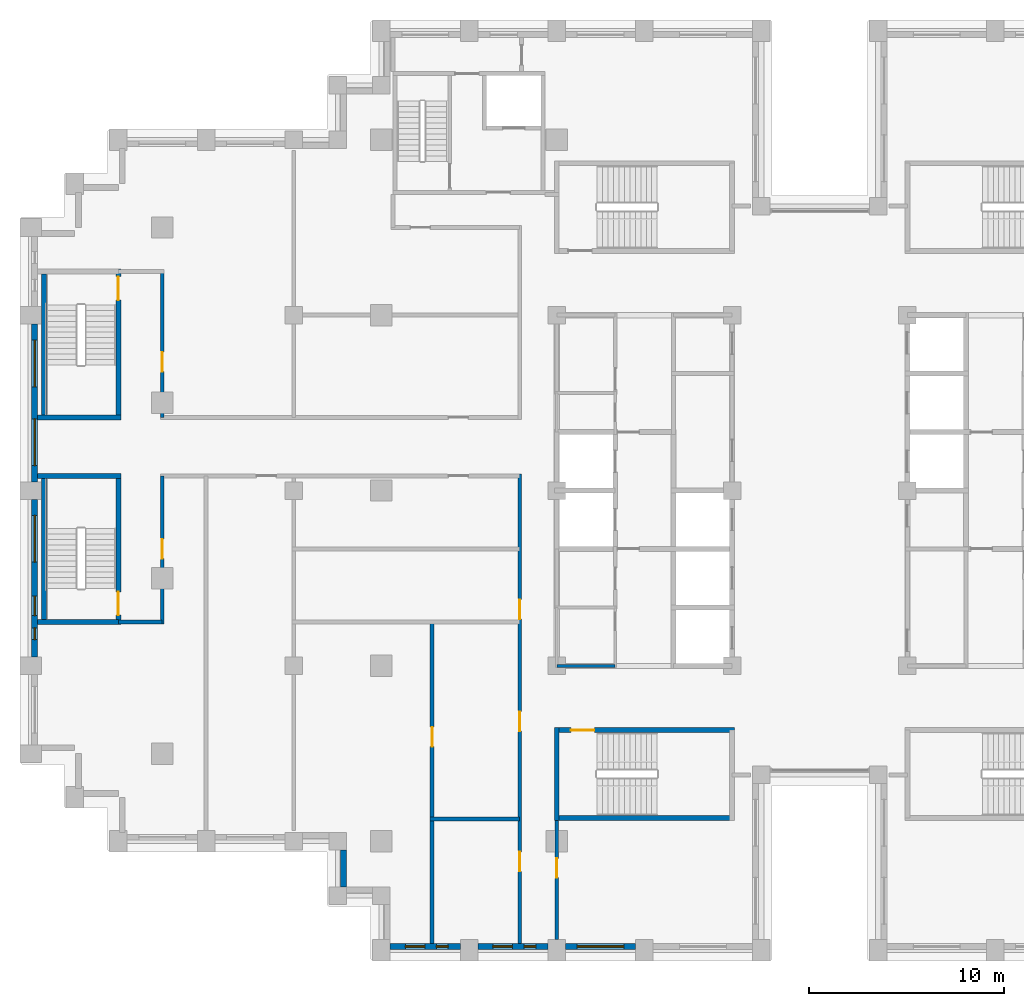
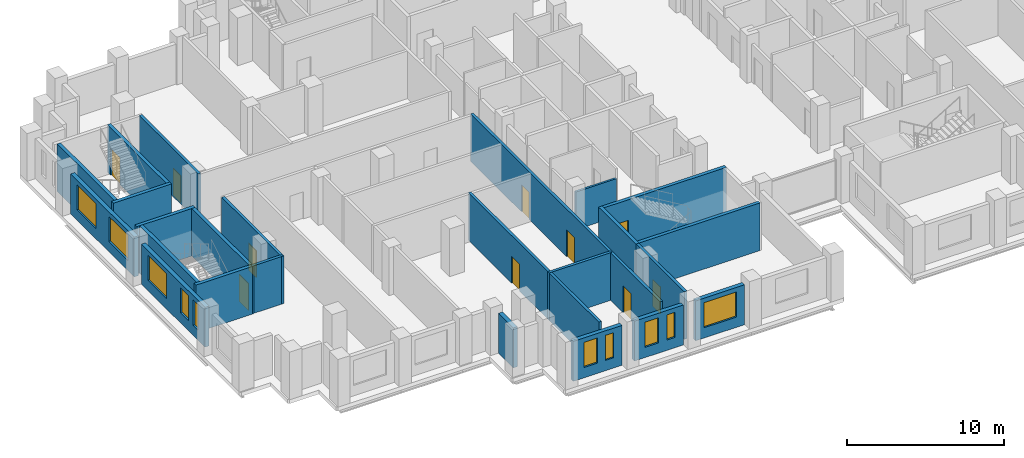
# One storey, part 6 of 15: 24 walls, 10 doors, 10 windows, 20 openings.
"""IFC4 building model written with IfcOpenShell, lengths in metres."""

import ifcopenshell
import ifcopenshell.guid

model = None  # the IFC model being written
_history = None  # IfcOwnerHistory: only IFC2X3 demands one
_inside = {}  # id of a spatial element -> (the spatial element, [elements in it])
_under = {}  # id of a project, library or spatial element -> (it, [spatial elements below it])
_declared = {}  # id of a project -> (the project, [libraries it declares])
_typed = {}  # id of a type object -> (the type object, [elements of that type])
_made_of = {}  # id of a material, layer set ... -> (it, [elements and type objects made of it])


def new_model(schema):
    """Start an empty IFC model of exactly this schema.

    Asked for "IFC4X3", IfcOpenShell would pick the latest addendum, in which some entities
    have other attributes; the version numbers below select the first issue.
    IFC2X3 requires an IfcOwnerHistory on every rooted entity: one is made here for all.
    """
    global model, _history
    if schema == "IFC4X3":
        model = ifcopenshell.file(schema_version=(4, 3, 0, 0))
    else:
        model = ifcopenshell.file(schema=schema)
    _inside.clear()
    _under.clear()
    _declared.clear()
    _typed.clear()
    _made_of.clear()
    _history = None
    if model.schema == "IFC2X3":
        org = make("IfcOrganization", Name="unknown")
        user = make(
            "IfcPersonAndOrganization",
            ThePerson=make("IfcPerson", FamilyName="unknown"),
            TheOrganization=org,
        )
        app = make(
            "IfcApplication",
            ApplicationDeveloper=org,
            Version="unknown",
            ApplicationFullName="unknown",
            ApplicationIdentifier="unknown",
        )
        _history = make(
            "IfcOwnerHistory",
            OwningUser=user,
            OwningApplication=app,
            ChangeAction="ADDED",
            CreationDate=0,
        )
    return model


def make(cls, **values):
    """One entity of the class cls with the attributes given. An attribute that is None is left unset."""
    return model.create_entity(
        cls, **{name: value for name, value in values.items() if value is not None}
    )


def rooted(cls, **values):
    """An entity with a GlobalId (a new one), such as an element, a storey or a relation."""
    return make(cls, GlobalId=ifcopenshell.guid.new(), OwnerHistory=_history, **values)


def si_unit(unit_type, name, prefix=None):
    """IfcSIUnit, for example si_unit("LENGTHUNIT", "METRE", prefix="MILLI")."""
    return make("IfcSIUnit", UnitType=unit_type, Prefix=prefix, Name=name)


def assignment(units):
    """IfcUnitAssignment: the units of a project."""
    return None if units is None else make("IfcUnitAssignment", Units=units)


def point(xyz):
    """IfcCartesianPoint."""
    return None if xyz is None else make("IfcCartesianPoint", Coordinates=xyz)


def direction(xyz):
    """IfcDirection."""
    return None if xyz is None else make("IfcDirection", DirectionRatios=xyz)


def frame(location, z_axis=None, x_axis=None):
    """IfcAxis2Placement3D, a coordinate frame: its origin and axes. An axis left out is left unset."""
    return make(
        "IfcAxis2Placement3D",
        Location=point(location),
        Axis=direction(z_axis),
        RefDirection=direction(x_axis),
    )


def frame_2d(location, x_axis=None):
    """IfcAxis2Placement2D, a coordinate frame in the plane: its origin and x axis."""
    return make(
        "IfcAxis2Placement2D", Location=point(location), RefDirection=direction(x_axis)
    )


def origin():
    """The frame at (0, 0, 0) with its axes left unset."""
    return frame((0.0, 0.0, 0.0))


def place(relative_to, where):
    """IfcLocalPlacement: puts the frame where relative to a parent placement (None: the world)."""
    return make(
        "IfcLocalPlacement", PlacementRelTo=relative_to, RelativePlacement=where
    )


def context(
    kind, dimensions, precision=None, world=None, true_north=None, identifier=None
):
    """IfcGeometricRepresentationContext, for example the 3D "Model" context."""
    return make(
        "IfcGeometricRepresentationContext",
        ContextIdentifier=identifier,
        ContextType=kind,
        CoordinateSpaceDimension=dimensions,
        Precision=precision,
        WorldCoordinateSystem=world,
        TrueNorth=true_north,
    )


def subcontext(parent, identifier, kind, view, scale=None):
    """IfcGeometricRepresentationSubContext, for example "Body" below "Model"."""
    return make(
        "IfcGeometricRepresentationSubContext",
        ContextIdentifier=identifier,
        ContextType=kind,
        ParentContext=parent,
        TargetScale=scale,
        TargetView=view,
    )


def project(units=None, contexts=None):
    """IfcProject with its units and contexts."""
    return rooted(
        "IfcProject",
        Name="project",
        RepresentationContexts=contexts,
        UnitsInContext=assignment(units),
    )


def spatial(cls, under=None, at=None, **own):
    """A site, building, storey or space (cls), placed at a placement, below another one or the project."""
    s = rooted(cls, ObjectPlacement=at, **own)
    if under is not None:
        _under.setdefault(under.id(), (under, []))[1].append(s)
    return s


def profile(cls, at=None, kind="AREA", **sizes):
    """A parametric profile (cls). Its sizes go by their IFC names, for example OverallWidth=200.0."""
    return make(cls, ProfileType=kind, Position=at, **sizes)


def rectangle(**sizes):
    """IfcRectangleProfileDef."""
    return profile("IfcRectangleProfileDef", **sizes)


def extrude(swept, where, along, depth):
    """IfcExtrudedAreaSolid: the profile swept, set in the frame where, extruded along a direction by depth."""
    return make(
        "IfcExtrudedAreaSolid",
        SweptArea=swept,
        Position=where,
        ExtrudedDirection=direction(along),
        Depth=depth,
    )


def shape(context_of_items, identifier, shape_type, items):
    """IfcShapeRepresentation: the items that make up one representation, for example the "Body"."""
    return make(
        "IfcShapeRepresentation",
        ContextOfItems=context_of_items,
        RepresentationIdentifier=identifier,
        RepresentationType=shape_type,
        Items=items,
    )


def material(Name=None, Category=None):
    """IfcMaterial."""
    return make("IfcMaterial", Name=Name, Category=Category)


def layer(
    of_material, thickness, ventilated=None, Name=None, Category=None, Priority=None
):
    """IfcMaterialLayer: one layer of a wall or slab, of a material (None: an air gap)."""
    return make(
        "IfcMaterialLayer",
        Material=of_material,
        LayerThickness=thickness,
        IsVentilated=ventilated,
        Name=Name,
        Category=Category,
        Priority=Priority,
    )


def layer_set(layers, Name=None):
    """IfcMaterialLayerSet."""
    return make("IfcMaterialLayerSet", MaterialLayers=layers, LayerSetName=Name)


def made_of(thing, what):
    """Note that an element or type object is made of a material, layer set ...; save() writes the relation."""
    if what is not None:
        _made_of.setdefault(what.id(), (what, []))[1].append(thing)
    return thing


def type_object(cls, material=None, **own):
    """A type object (cls), such as IfcWallType, which elements share."""
    return made_of(rooted(cls, **own), material)


def element(
    cls,
    number,
    at=None,
    inside=None,
    cuts=None,
    type_object=None,
    material=None,
    context=None,
    identifier="Body",
    shape_type=None,
    held_by="IfcProductDefinitionShape",
    body=None,
    shapes=None,
    **own,
):
    """One element of the class cls, such as IfcWall. Its Tag is "e" and its number.

    at: its placement. inside: the storey or other place that contains it. cuts: it is an
    opening in that element (IfcRelVoidsElement). A single representation is given by context,
    identifier, shape_type and body (its items); several are given by shapes. held_by: the class
    of the entity that holds the representations. save() writes the other relations.
    """
    e = rooted(cls, Tag="e%d" % number, ObjectPlacement=at, **own)
    if body is not None:
        shapes = [shape(context, identifier, shape_type, body)]
    if shapes is not None:
        e.Representation = make(held_by, Representations=shapes)
    if inside is not None:
        _inside.setdefault(inside.id(), (inside, []))[1].append(e)
    if cuts is not None:
        rooted(
            "IfcRelVoidsElement", RelatingBuildingElement=cuts, RelatedOpeningElement=e
        )
    if type_object is not None:
        _typed.setdefault(type_object.id(), (type_object, []))[1].append(e)
    return made_of(e, material)


def fill(opening, filler):
    """IfcRelFillsElement: the door or window that sits in an opening."""
    return rooted(
        "IfcRelFillsElement",
        RelatingOpeningElement=opening,
        RelatedBuildingElement=filler,
    )


def aggregate(whole, parts):
    """IfcRelAggregates: a whole, such as a stair, and the parts it consists of."""
    return rooted("IfcRelAggregates", RelatingObject=whole, RelatedObjects=parts)


def save(model, path):
    """Write the relations noted so far, then the file.

    IfcRelAggregates (storeys below a building ...), IfcRelContainedInSpatialStructure (elements
    in a storey), IfcRelDefinesByType, IfcRelAssociatesMaterial and IfcRelDeclares: one each for
    every whole, place, type object, material and project.
    """
    for whole, parts in _under.values():
        aggregate(whole, parts)
    for where, things in _inside.values():
        rooted(
            "IfcRelContainedInSpatialStructure",
            RelatedElements=things,
            RelatingStructure=where,
        )
    for kind, things in _typed.values():
        rooted("IfcRelDefinesByType", RelatedObjects=things, RelatingType=kind)
    for what, things in _made_of.values():
        rooted("IfcRelAssociatesMaterial", RelatedObjects=things, RelatingMaterial=what)
    for by, libraries in _declared.values():
        rooted("IfcRelDeclares", RelatingContext=by, RelatedDefinitions=libraries)
    model.write(path)


model = new_model("IFC4")

# Units and contexts
model_context = context("Model", 3, precision=1e-05, world=origin(), true_north=direction((0.0, 1.0)))
body_context = subcontext(model_context, "Body", "Model", "MODEL_VIEW")
ifc_project = project(units=[si_unit("LENGTHUNIT", "METRE"), si_unit("AREAUNIT", "SQUARE_METRE"), si_unit("VOLUMEUNIT", "CUBIC_METRE"), si_unit("PLANEANGLEUNIT", "RADIAN"), si_unit("MASSUNIT", "GRAM", prefix="KILO")], contexts=[model_context])

# Site, building, storey
site_placement = place(None, origin())
site = spatial("IfcSite", under=ifc_project, at=site_placement, CompositionType="ELEMENT")
building_placement = place(site_placement, origin())
building = spatial("IfcBuilding", under=site, at=building_placement, Name="Corbelhall Arena Tower", CompositionType="ELEMENT")
storey_placement = place(building_placement, frame((0.0, 0.0, 130.0)))
storey = spatial("IfcBuildingStorey", under=building, at=storey_placement, Name="L24", CompositionType="ELEMENT", Elevation=130.0)

# Wall, openings, windows
ifc_material_1 = material(Name="Precast concrete C40/50 with granite facing", Category="masonry")
ifc_layer_1 = layer(ifc_material_1, 0.300048828125)
ifc_layer_set_1 = layer_set([ifc_layer_1], Name="EV-IW1 Infill panel 300")
wall_type_1 = type_object("IfcWallType", Name="EV-IW1 Infill panel 300", PredefinedType="SOLIDWALL", material=ifc_layer_set_1)
wall_1_placement = place(storey_placement, frame((-40.300048828125, 8.550048828125, 0.0), z_axis=(0.0, 0.0, 1.0), x_axis=(0.0, -1.0, 0.0)))
wall_1 = element("IfcWall", 1, at=wall_1_placement, inside=storey, type_object=wall_type_1, Name="Infill panel IW1", PredefinedType="SOLIDWALL", context=body_context, shape_type="SweptSolid", body=[
    extrude(rectangle(XDim=8.10009765625, YDim=0.300048828125, at=frame_2d((4.050048828125, 0.0))), origin(), (0.0, 0.0, 1.0), 3.10009765625),
])
opening_1_placement = place(wall_1_placement, frame((0.824951171875, 0.0, 0.800048828125)))
opening_1 = element("IfcOpeningElement", 2, at=opening_1_placement, cuts=wall_1, Name="Opening WN1", PredefinedType="OPENING", context=body_context, shape_type="SweptSolid", body=[
    extrude(rectangle(XDim=2.39990234375, YDim=1.949951171875, at=frame_2d((1.199951171875, 0.97509765625))), frame((0.0, 0.14990234375, 0.0), z_axis=(0.0, -1.0, 0.0), x_axis=(1.0, 0.0, 0.0)), (0.0, 0.0, 1.0), 0.300048828125),
])
opening_2_placement = place(wall_1_placement, frame((4.875, 0.0, 0.800048828125)))
opening_2 = element("IfcOpeningElement", 3, at=opening_2_placement, cuts=wall_1, Name="Opening WN1", PredefinedType="OPENING", context=body_context, shape_type="SweptSolid", body=[
    extrude(rectangle(XDim=2.39990234375, YDim=1.949951171875, at=frame_2d((1.199951171875, 0.97509765625))), frame((0.0, 0.14990234375, 0.0), z_axis=(0.0, -1.0, 0.0), x_axis=(1.0, 0.0, 0.0)), (0.0, 0.0, 1.0), 0.300048828125),
])
ifc_material_2 = material(Name="Aluminium black anodised", Category="aluminium")
window_type_1 = type_object("IfcWindowType", Name="EV-WN1 Office window", PartitioningType="SINGLE_PANEL", PredefinedType="WINDOW", material=ifc_material_2)
window_1_placement = place(opening_1_placement, origin())
window_1 = element("IfcWindow", 4, at=window_1_placement, inside=storey, type_object=window_type_1, Name="Window WN1", OverallHeight=1.949951171875, OverallWidth=2.39990234375, PartitioningType="SINGLE_PANEL", PredefinedType="WINDOW", context=body_context, shape_type="SweptSolid", body=[
    extrude(rectangle(XDim=2.39990234375, YDim=1.949951171875, at=frame_2d((1.199951171875, 0.97509765625))), frame((0.0, 0.030029296875, 0.0), z_axis=(0.0, -1.0, 0.0), x_axis=(1.0, 0.0, 0.0)), (0.0, 0.0, 1.0), 0.06005859375),
])
fill(opening_1, window_1)
window_2_placement = place(opening_2_placement, origin())
window_2 = element("IfcWindow", 5, at=window_2_placement, inside=storey, type_object=window_type_1, Name="Window WN1", OverallHeight=1.949951171875, OverallWidth=2.39990234375, PartitioningType="SINGLE_PANEL", PredefinedType="WINDOW", context=body_context, shape_type="SweptSolid", body=[
    extrude(rectangle(XDim=2.39990234375, YDim=1.949951171875, at=frame_2d((1.199951171875, 0.97509765625))), frame((0.0, 0.030029296875, 0.0), z_axis=(0.0, -1.0, 0.0), x_axis=(1.0, 0.0, 0.0)), (0.0, 0.0, 1.0), 0.06005859375),
])
fill(opening_2, window_2)

wall_2_placement = place(storey_placement, frame((-40.300048828125, -0.449951171875, 0.0), z_axis=(0.0, 0.0, 1.0), x_axis=(0.0, -1.0, 0.0)))
wall_2 = element("IfcWall", 6, at=wall_2_placement, inside=storey, type_object=wall_type_1, Name="Infill panel IW1", PredefinedType="SOLIDWALL", context=body_context, shape_type="SweptSolid", body=[
    extrude(rectangle(XDim=8.10009765625, YDim=0.300048828125, at=frame_2d((4.050048828125, 0.0))), origin(), (0.0, 0.0, 1.0), 3.10009765625),
])
opening_3_placement = place(wall_2_placement, frame((0.824951171875, 0.0, 0.800048828125)))
opening_3 = element("IfcOpeningElement", 7, at=opening_3_placement, cuts=wall_2, Name="Opening WN1", PredefinedType="OPENING", context=body_context, shape_type="SweptSolid", body=[
    extrude(rectangle(XDim=2.39990234375, YDim=1.949951171875, at=frame_2d((1.199951171875, 0.97509765625))), frame((0.0, 0.14990234375, 0.0), z_axis=(0.0, -1.0, 0.0), x_axis=(1.0, 0.0, 0.0)), (0.0, 0.0, 1.0), 0.300048828125),
])
opening_4_placement = place(wall_2_placement, frame((4.97509765625, 0.0, 0.800048828125)))
opening_4 = element("IfcOpeningElement", 8, at=opening_4_placement, cuts=wall_2, Name="Opening WN6", PredefinedType="OPENING", context=body_context, shape_type="SweptSolid", body=[
    extrude(rectangle(XDim=1.0, YDim=1.949951171875, at=frame_2d((0.5, 0.97509765625))), frame((0.0, 0.14990234375, 0.0), z_axis=(0.0, -1.0, 0.0), x_axis=(1.0, 0.0, 0.0)), (0.0, 0.0, 1.0), 0.300048828125),
])
opening_5_placement = place(wall_2_placement, frame((6.60009765625, 0.0, 0.800048828125)))
opening_5 = element("IfcOpeningElement", 9, at=opening_5_placement, cuts=wall_2, Name="Opening WN5", PredefinedType="OPENING", context=body_context, shape_type="SweptSolid", body=[
    extrude(rectangle(XDim=0.60009765625, YDim=1.949951171875, at=frame_2d((0.300048828125, 0.97509765625))), frame((0.0, 0.14990234375, 0.0), z_axis=(0.0, -1.0, 0.0), x_axis=(1.0, 0.0, 0.0)), (0.0, 0.0, 1.0), 0.300048828125),
])
window_3_placement = place(opening_3_placement, origin())
window_3 = element("IfcWindow", 10, at=window_3_placement, inside=storey, type_object=window_type_1, Name="Window WN1", OverallHeight=1.949951171875, OverallWidth=2.39990234375, PartitioningType="SINGLE_PANEL", PredefinedType="WINDOW", context=body_context, shape_type="SweptSolid", body=[
    extrude(rectangle(XDim=2.39990234375, YDim=1.949951171875, at=frame_2d((1.199951171875, 0.97509765625))), frame((0.0, 0.030029296875, 0.0), z_axis=(0.0, -1.0, 0.0), x_axis=(1.0, 0.0, 0.0)), (0.0, 0.0, 1.0), 0.06005859375),
])
fill(opening_3, window_3)
window_type_2 = type_object("IfcWindowType", Name="EV-WN5 Office window 600", PartitioningType="SINGLE_PANEL", PredefinedType="WINDOW", material=ifc_material_2)
window_4_placement = place(opening_5_placement, origin())
window_4 = element("IfcWindow", 11, at=window_4_placement, inside=storey, type_object=window_type_2, Name="Window WN5", OverallHeight=1.949951171875, OverallWidth=0.60009765625, PartitioningType="SINGLE_PANEL", PredefinedType="WINDOW", context=body_context, shape_type="SweptSolid", body=[
    extrude(rectangle(XDim=0.60009765625, YDim=1.949951171875, at=frame_2d((0.300048828125, 0.97509765625))), frame((0.0, 0.030029296875, 0.0), z_axis=(0.0, -1.0, 0.0), x_axis=(1.0, 0.0, 0.0)), (0.0, 0.0, 1.0), 0.06005859375),
])
fill(opening_5, window_4)
window_type_3 = type_object("IfcWindowType", Name="EV-WN6 Office window 1000", PartitioningType="SINGLE_PANEL", PredefinedType="WINDOW", material=ifc_material_2)
window_5_placement = place(opening_4_placement, origin())
window_5 = element("IfcWindow", 12, at=window_5_placement, inside=storey, type_object=window_type_3, Name="Window WN6", OverallHeight=1.949951171875, OverallWidth=1.0, PartitioningType="SINGLE_PANEL", PredefinedType="WINDOW", context=body_context, shape_type="SweptSolid", body=[
    extrude(rectangle(XDim=1.0, YDim=1.949951171875, at=frame_2d((0.5, 0.97509765625))), frame((0.0, 0.030029296875, 0.0), z_axis=(0.0, -1.0, 0.0), x_axis=(1.0, 0.0, 0.0)), (0.0, 0.0, 1.0), 0.06005859375),
])
fill(opening_4, window_5)

# Wall
wall_3_placement = place(storey_placement, frame((-24.449951171875, -18.449951171875, 0.0), z_axis=(0.0, 0.0, 1.0), x_axis=(0.0, -1.0, 0.0)))
element("IfcWall", 13, at=wall_3_placement, inside=storey, type_object=wall_type_1, Name="Infill panel IW1", PredefinedType="SOLIDWALL", context=body_context, shape_type="SweptSolid", body=[
    extrude(rectangle(XDim=1.900146484375, YDim=0.300048828125, at=frame_2d((0.9501953125, 0.0))), origin(), (0.0, 0.0, 1.0), 3.10009765625),
])

# Wall, openings, windows
wall_4_placement = place(storey_placement, frame((-22.050048828125, -23.39990234375, 0.0), z_axis=(0.0, 0.0, 1.0), x_axis=(1.0, 0.0, 0.0)))
wall_4 = element("IfcWall", 14, at=wall_4_placement, inside=storey, type_object=wall_type_1, Name="Infill panel IW1", PredefinedType="SOLIDWALL", context=body_context, shape_type="SweptSolid", body=[
    extrude(rectangle(XDim=3.60009765625, YDim=0.300048828125, at=frame_2d((1.800048828125, 0.0))), origin(), (0.0, 0.0, 1.0), 3.10009765625),
])
opening_6_placement = place(wall_4_placement, frame((0.77490234375, 0.0, 0.800048828125)))
opening_6 = element("IfcOpeningElement", 15, at=opening_6_placement, cuts=wall_4, Name="Opening WN6", PredefinedType="OPENING", context=body_context, shape_type="SweptSolid", body=[
    extrude(rectangle(XDim=1.0, YDim=1.949951171875, at=frame_2d((0.5, 0.97509765625))), frame((0.0, 0.14990234375, 0.0), z_axis=(0.0, -1.0, 0.0), x_axis=(1.0, 0.0, 0.0)), (0.0, 0.0, 1.0), 0.300048828125),
])
opening_7_placement = place(wall_4_placement, frame((2.375, 0.0, 0.800048828125)))
opening_7 = element("IfcOpeningElement", 16, at=opening_7_placement, cuts=wall_4, Name="Opening WN5", PredefinedType="OPENING", context=body_context, shape_type="SweptSolid", body=[
    extrude(rectangle(XDim=0.60009765625, YDim=1.949951171875, at=frame_2d((0.300048828125, 0.97509765625))), frame((0.0, 0.14990234375, 0.0), z_axis=(0.0, -1.0, 0.0), x_axis=(1.0, 0.0, 0.0)), (0.0, 0.0, 1.0), 0.300048828125),
])
window_6_placement = place(opening_7_placement, origin())
window_6 = element("IfcWindow", 17, at=window_6_placement, inside=storey, type_object=window_type_2, Name="Window WN5", OverallHeight=1.949951171875, OverallWidth=0.60009765625, PartitioningType="SINGLE_PANEL", PredefinedType="WINDOW", context=body_context, shape_type="SweptSolid", body=[
    extrude(rectangle(XDim=0.60009765625, YDim=1.949951171875, at=frame_2d((0.300048828125, 0.97509765625))), frame((0.0, 0.030029296875, 0.0), z_axis=(0.0, -1.0, 0.0), x_axis=(1.0, 0.0, 0.0)), (0.0, 0.0, 1.0), 0.06005859375),
])
fill(opening_7, window_6)
window_7_placement = place(opening_6_placement, origin())
window_7 = element("IfcWindow", 18, at=window_7_placement, inside=storey, type_object=window_type_3, Name="Window WN6", OverallHeight=1.949951171875, OverallWidth=1.0, PartitioningType="SINGLE_PANEL", PredefinedType="WINDOW", context=body_context, shape_type="SweptSolid", body=[
    extrude(rectangle(XDim=1.0, YDim=1.949951171875, at=frame_2d((0.5, 0.97509765625))), frame((0.0, 0.030029296875, 0.0), z_axis=(0.0, -1.0, 0.0), x_axis=(1.0, 0.0, 0.0)), (0.0, 0.0, 1.0), 0.06005859375),
])
fill(opening_6, window_7)

wall_5_placement = place(storey_placement, frame((-17.550048828125, -23.39990234375, 0.0), z_axis=(0.0, 0.0, 1.0), x_axis=(1.0, 0.0, 0.0)))
wall_5 = element("IfcWall", 19, at=wall_5_placement, inside=storey, type_object=wall_type_1, Name="Infill panel IW1", PredefinedType="SOLIDWALL", context=body_context, shape_type="SweptSolid", body=[
    extrude(rectangle(XDim=3.60009765625, YDim=0.300048828125, at=frame_2d((1.800048828125, 0.0))), origin(), (0.0, 0.0, 1.0), 3.10009765625),
])
opening_8_placement = place(wall_5_placement, frame((0.77490234375, 0.0, 0.800048828125)))
opening_8 = element("IfcOpeningElement", 20, at=opening_8_placement, cuts=wall_5, Name="Opening WN6", PredefinedType="OPENING", context=body_context, shape_type="SweptSolid", body=[
    extrude(rectangle(XDim=1.0, YDim=1.949951171875, at=frame_2d((0.5, 0.97509765625))), frame((0.0, 0.14990234375, 0.0), z_axis=(0.0, -1.0, 0.0), x_axis=(1.0, 0.0, 0.0)), (0.0, 0.0, 1.0), 0.300048828125),
])
opening_9_placement = place(wall_5_placement, frame((2.375, 0.0, 0.800048828125)))
opening_9 = element("IfcOpeningElement", 21, at=opening_9_placement, cuts=wall_5, Name="Opening WN5", PredefinedType="OPENING", context=body_context, shape_type="SweptSolid", body=[
    extrude(rectangle(XDim=0.60009765625, YDim=1.949951171875, at=frame_2d((0.300048828125, 0.97509765625))), frame((0.0, 0.14990234375, 0.0), z_axis=(0.0, -1.0, 0.0), x_axis=(1.0, 0.0, 0.0)), (0.0, 0.0, 1.0), 0.300048828125),
])
window_8_placement = place(opening_9_placement, origin())
window_8 = element("IfcWindow", 22, at=window_8_placement, inside=storey, type_object=window_type_2, Name="Window WN5", OverallHeight=1.949951171875, OverallWidth=0.60009765625, PartitioningType="SINGLE_PANEL", PredefinedType="WINDOW", context=body_context, shape_type="SweptSolid", body=[
    extrude(rectangle(XDim=0.60009765625, YDim=1.949951171875, at=frame_2d((0.300048828125, 0.97509765625))), frame((0.0, 0.030029296875, 0.0), z_axis=(0.0, -1.0, 0.0), x_axis=(1.0, 0.0, 0.0)), (0.0, 0.0, 1.0), 0.06005859375),
])
fill(opening_9, window_8)
window_9_placement = place(opening_8_placement, origin())
window_9 = element("IfcWindow", 23, at=window_9_placement, inside=storey, type_object=window_type_3, Name="Window WN6", OverallHeight=1.949951171875, OverallWidth=1.0, PartitioningType="SINGLE_PANEL", PredefinedType="WINDOW", context=body_context, shape_type="SweptSolid", body=[
    extrude(rectangle(XDim=1.0, YDim=1.949951171875, at=frame_2d((0.5, 0.97509765625))), frame((0.0, 0.030029296875, 0.0), z_axis=(0.0, -1.0, 0.0), x_axis=(1.0, 0.0, 0.0)), (0.0, 0.0, 1.0), 0.06005859375),
])
fill(opening_8, window_9)

# Wall, opening, window
wall_6_placement = place(storey_placement, frame((-13.050048828125, -23.39990234375, 0.0), z_axis=(0.0, 0.0, 1.0), x_axis=(1.0, 0.0, 0.0)))
wall_6 = element("IfcWall", 24, at=wall_6_placement, inside=storey, type_object=wall_type_1, Name="Infill panel IW1", PredefinedType="SOLIDWALL", context=body_context, shape_type="SweptSolid", body=[
    extrude(rectangle(XDim=3.60009765625, YDim=0.300048828125, at=frame_2d((1.800048828125, 0.0))), origin(), (0.0, 0.0, 1.0), 3.10009765625),
])
opening_10_placement = place(wall_6_placement, frame((0.60009765625, 0.0, 0.800048828125)))
opening_10 = element("IfcOpeningElement", 25, at=opening_10_placement, cuts=wall_6, Name="Opening WN1", PredefinedType="OPENING", context=body_context, shape_type="SweptSolid", body=[
    extrude(rectangle(XDim=2.39990234375, YDim=1.949951171875, at=frame_2d((1.199951171875, 0.97509765625))), frame((0.0, 0.14990234375, 0.0), z_axis=(0.0, -1.0, 0.0), x_axis=(1.0, 0.0, 0.0)), (0.0, 0.0, 1.0), 0.300048828125),
])
window_10_placement = place(opening_10_placement, origin())
window_10 = element("IfcWindow", 26, at=window_10_placement, inside=storey, type_object=window_type_1, Name="Window WN1", OverallHeight=1.949951171875, OverallWidth=2.39990234375, PartitioningType="SINGLE_PANEL", PredefinedType="WINDOW", context=body_context, shape_type="SweptSolid", body=[
    extrude(rectangle(XDim=2.39990234375, YDim=1.949951171875, at=frame_2d((1.199951171875, 0.97509765625))), frame((0.0, 0.030029296875, 0.0), z_axis=(0.0, -1.0, 0.0), x_axis=(1.0, 0.0, 0.0)), (0.0, 0.0, 1.0), 0.06005859375),
])
fill(opening_10, window_10)

# Wall
ifc_material_3 = material(Name="Gypsum board on steel stud, acoustic", Category="steel")
ifc_layer_2 = layer(ifc_material_3, 0.199951171875)
ifc_layer_set_2 = layer_set([ifc_layer_2], Name="IN-W-DM200")
wall_type_2 = type_object("IfcWallType", Name="IN-W-DM200", PredefinedType="PARTITIONING", material=ifc_layer_set_2)
wall_7_placement = place(storey_placement, frame((-33.75, -6.75, 0.0), z_axis=(0.0, 0.0, 1.0), x_axis=(-1.0, 0.0, 0.0)))
element("IfcWall", 27, at=wall_7_placement, inside=storey, type_object=wall_type_2, Name="Partition 003", PredefinedType="PARTITIONING", context=body_context, shape_type="SweptSolid", body=[
    extrude(rectangle(XDim=2.25, YDim=0.199951171875, at=frame_2d((1.125, 0.0))), origin(), (0.0, 0.0, 1.0), 3.699951171875),
])

# Wall, opening, door
wall_8_placement = place(storey_placement, frame((-33.75, 0.75, 0.0), z_axis=(0.0, 0.0, 1.0), x_axis=(0.0, -1.0, 0.0)))
wall_8 = element("IfcWall", 28, at=wall_8_placement, inside=storey, type_object=wall_type_2, Name="Partition 004", PredefinedType="PARTITIONING", context=body_context, shape_type="SweptSolid", body=[
    extrude(rectangle(XDim=7.60009765625, YDim=0.199951171875, at=frame_2d((3.800048828125, 0.0))), origin(), (0.0, 0.0, 1.0), 3.699951171875),
])
opening_11_placement = place(wall_8_placement, frame((3.25, 0.0, 0.0)))
opening_11 = element("IfcOpeningElement", 29, at=opening_11_placement, cuts=wall_8, Name="Opening 06044", PredefinedType="OPENING", context=body_context, shape_type="SweptSolid", body=[
    extrude(rectangle(XDim=1.0, YDim=2.10009765625, at=frame_2d((0.5, 1.050048828125))), frame((0.0, 0.10009765625, 0.0), z_axis=(0.0, -1.0, 0.0), x_axis=(1.0, 0.0, 0.0)), (0.0, 0.0, 1.0), 0.199951171875),
])
ifc_material_4 = material(Name="Steel door set", Category="steel")
door_type_1 = type_object("IfcDoorType", Name="IN-D-SW100", OperationType="NOTDEFINED", PredefinedType="DOOR", material=ifc_material_4)
door_1_placement = place(opening_11_placement, origin())
door_1 = element("IfcDoor", 30, at=door_1_placement, inside=storey, type_object=door_type_1, Name="Door 044", OperationType="SINGLE_SWING_LEFT", OverallHeight=2.10009765625, OverallWidth=1.0, PredefinedType="DOOR", context=body_context, shape_type="SweptSolid", body=[
    extrude(rectangle(XDim=1.0, YDim=2.10009765625, at=frame_2d((0.5, 1.050048828125))), frame((0.0, 0.02490234375, 0.0), z_axis=(0.0, -1.0, 0.0), x_axis=(1.0, 0.0, 0.0)), (0.0, 0.0, 1.0), 0.050048828125),
])
fill(opening_11, door_1)

wall_9_placement = place(storey_placement, frame((-33.75, 11.25, 0.0), z_axis=(0.0, 0.0, 1.0), x_axis=(0.0, -1.0, 0.0)))
wall_9 = element("IfcWall", 31, at=wall_9_placement, inside=storey, type_object=wall_type_2, Name="Partition 005", PredefinedType="PARTITIONING", context=body_context, shape_type="SweptSolid", body=[
    extrude(rectangle(XDim=7.5, YDim=0.199951171875, at=frame_2d((3.75, 0.0))), origin(), (0.0, 0.0, 1.0), 3.699951171875),
])
opening_12_placement = place(wall_9_placement, frame((4.14990234375, 0.0, 0.0)))
opening_12 = element("IfcOpeningElement", 32, at=opening_12_placement, cuts=wall_9, Name="Opening 06043", PredefinedType="OPENING", context=body_context, shape_type="SweptSolid", body=[
    extrude(rectangle(XDim=1.0, YDim=2.10009765625, at=frame_2d((0.5, 1.050048828125))), frame((0.0, 0.10009765625, 0.0), z_axis=(0.0, -1.0, 0.0), x_axis=(1.0, 0.0, 0.0)), (0.0, 0.0, 1.0), 0.199951171875),
])
door_2_placement = place(opening_12_placement, origin())
door_2 = element("IfcDoor", 33, at=door_2_placement, inside=storey, type_object=door_type_1, Name="Door 043", OperationType="SINGLE_SWING_RIGHT", OverallHeight=2.10009765625, OverallWidth=1.0, PredefinedType="DOOR", context=body_context, shape_type="SweptSolid", body=[
    extrude(rectangle(XDim=1.0, YDim=2.10009765625, at=frame_2d((0.5, 1.050048828125))), frame((0.0, 0.02490234375, 0.0), z_axis=(0.0, -1.0, 0.0), x_axis=(1.0, 0.0, 0.0)), (0.0, 0.0, 1.0), 0.050048828125),
])
fill(opening_12, door_2)

# Wall
wall_10_placement = place(storey_placement, frame((-20.0, -16.85009765625, 0.0), z_axis=(0.0, 0.0, 1.0), x_axis=(1.0, 0.0, 0.0)))
element("IfcWall", 34, at=wall_10_placement, inside=storey, type_object=wall_type_2, Name="Partition 015", PredefinedType="PARTITIONING", context=body_context, shape_type="SweptSolid", body=[
    extrude(rectangle(XDim=4.60009765625, YDim=0.199951171875, at=frame_2d((2.300048828125, 0.0))), origin(), (0.0, 0.0, 1.0), 3.699951171875),
])

# Wall, opening, door
wall_11_placement = place(storey_placement, frame((-19.89990234375, -23.25, 0.0), z_axis=(0.0, 0.0, 1.0), x_axis=(0.0, 1.0, 0.0)))
wall_11 = element("IfcWall", 35, at=wall_11_placement, inside=storey, type_object=wall_type_2, Name="Partition 016", PredefinedType="PARTITIONING", context=body_context, shape_type="SweptSolid", body=[
    extrude(rectangle(XDim=16.60009765625, YDim=0.199951171875, at=frame_2d((8.300048828125, 0.0))), origin(), (0.0, 0.0, 1.0), 3.699951171875),
])
opening_13_placement = place(wall_11_placement, frame((10.10009765625, 0.0, 0.0)))
opening_13 = element("IfcOpeningElement", 36, at=opening_13_placement, cuts=wall_11, Name="Opening 06031", PredefinedType="OPENING", context=body_context, shape_type="SweptSolid", body=[
    extrude(rectangle(XDim=1.0, YDim=2.10009765625, at=frame_2d((0.5, 1.050048828125))), frame((0.0, 0.10009765625, 0.0), z_axis=(0.0, -1.0, 0.0), x_axis=(1.0, 0.0, 0.0)), (0.0, 0.0, 1.0), 0.199951171875),
])
door_3_placement = place(opening_13_placement, origin())
door_3 = element("IfcDoor", 37, at=door_3_placement, inside=storey, type_object=door_type_1, Name="Door 031", OperationType="SINGLE_SWING_RIGHT", OverallHeight=2.10009765625, OverallWidth=1.0, PredefinedType="DOOR", context=body_context, shape_type="SweptSolid", body=[
    extrude(rectangle(XDim=1.0, YDim=2.10009765625, at=frame_2d((0.5, 1.050048828125))), frame((0.0, 0.02490234375, 0.0), z_axis=(0.0, -1.0, 0.0), x_axis=(1.0, 0.0, 0.0)), (0.0, 0.0, 1.0), 0.050048828125),
])
fill(opening_13, door_3)

# Wall, openings, doors
wall_12_placement = place(storey_placement, frame((-15.39990234375, -23.25, 0.0), z_axis=(0.0, 0.0, 1.0), x_axis=(0.0, 1.0, 0.0)))
wall_12 = element("IfcWall", 38, at=wall_12_placement, inside=storey, type_object=wall_type_2, Name="Partition 017", PredefinedType="PARTITIONING", context=body_context, shape_type="SweptSolid", body=[
    extrude(rectangle(XDim=24.10009765625, YDim=0.199951171875, at=frame_2d((12.050048828125, 0.0))), origin(), (0.0, 0.0, 1.0), 3.699951171875),
])
opening_14_placement = place(wall_12_placement, frame((3.699951171875, 0.0, 0.0)))
opening_14 = element("IfcOpeningElement", 39, at=opening_14_placement, cuts=wall_12, Name="Opening 06029", PredefinedType="OPENING", context=body_context, shape_type="SweptSolid", body=[
    extrude(rectangle(XDim=1.0, YDim=2.10009765625, at=frame_2d((0.5, 1.050048828125))), frame((0.0, 0.10009765625, 0.0), z_axis=(0.0, -1.0, 0.0), x_axis=(1.0, 0.0, 0.0)), (0.0, 0.0, 1.0), 0.199951171875),
])
opening_15_placement = place(wall_12_placement, frame((10.89990234375, 0.0, 0.0)))
opening_15 = element("IfcOpeningElement", 40, at=opening_15_placement, cuts=wall_12, Name="Opening 06030", PredefinedType="OPENING", context=body_context, shape_type="SweptSolid", body=[
    extrude(rectangle(XDim=1.0, YDim=2.10009765625, at=frame_2d((0.5, 1.050048828125))), frame((0.0, 0.10009765625, 0.0), z_axis=(0.0, -1.0, 0.0), x_axis=(1.0, 0.0, 0.0)), (0.0, 0.0, 1.0), 0.199951171875),
])
opening_16_placement = place(wall_12_placement, frame((16.64990234375, 0.0, 0.0)))
opening_16 = element("IfcOpeningElement", 41, at=opening_16_placement, cuts=wall_12, Name="Opening 06032", PredefinedType="OPENING", context=body_context, shape_type="SweptSolid", body=[
    extrude(rectangle(XDim=1.0, YDim=2.10009765625, at=frame_2d((0.5, 1.050048828125))), frame((0.0, 0.10009765625, 0.0), z_axis=(0.0, -1.0, 0.0), x_axis=(1.0, 0.0, 0.0)), (0.0, 0.0, 1.0), 0.199951171875),
])
door_4_placement = place(opening_14_placement, origin())
door_4 = element("IfcDoor", 42, at=door_4_placement, inside=storey, type_object=door_type_1, Name="Door 029", OperationType="SINGLE_SWING_RIGHT", OverallHeight=2.10009765625, OverallWidth=1.0, PredefinedType="DOOR", context=body_context, shape_type="SweptSolid", body=[
    extrude(rectangle(XDim=1.0, YDim=2.10009765625, at=frame_2d((0.5, 1.050048828125))), frame((0.0, 0.02490234375, 0.0), z_axis=(0.0, -1.0, 0.0), x_axis=(1.0, 0.0, 0.0)), (0.0, 0.0, 1.0), 0.050048828125),
])
fill(opening_14, door_4)
door_5_placement = place(opening_15_placement, origin())
door_5 = element("IfcDoor", 43, at=door_5_placement, inside=storey, type_object=door_type_1, Name="Door 030", OperationType="SINGLE_SWING_LEFT", OverallHeight=2.10009765625, OverallWidth=1.0, PredefinedType="DOOR", context=body_context, shape_type="SweptSolid", body=[
    extrude(rectangle(XDim=1.0, YDim=2.10009765625, at=frame_2d((0.5, 1.050048828125))), frame((0.0, 0.02490234375, 0.0), z_axis=(0.0, -1.0, 0.0), x_axis=(1.0, 0.0, 0.0)), (0.0, 0.0, 1.0), 0.050048828125),
])
fill(opening_15, door_5)
door_6_placement = place(opening_16_placement, origin())
door_6 = element("IfcDoor", 44, at=door_6_placement, inside=storey, type_object=door_type_1, Name="Door 032", OperationType="SINGLE_SWING_LEFT", OverallHeight=2.10009765625, OverallWidth=1.0, PredefinedType="DOOR", context=body_context, shape_type="SweptSolid", body=[
    extrude(rectangle(XDim=1.0, YDim=2.10009765625, at=frame_2d((0.5, 1.050048828125))), frame((0.0, 0.02490234375, 0.0), z_axis=(0.0, -1.0, 0.0), x_axis=(1.0, 0.0, 0.0)), (0.0, 0.0, 1.0), 0.050048828125),
])
fill(opening_16, door_6)

# Wall, opening, door
wall_13_placement = place(storey_placement, frame((-13.5, -16.675048828125, 0.0), z_axis=(0.0, 0.0, 1.0), x_axis=(0.0, -1.0, 0.0)))
wall_13 = element("IfcWall", 45, at=wall_13_placement, inside=storey, type_object=wall_type_2, Name="Partition 022", PredefinedType="PARTITIONING", context=body_context, shape_type="SweptSolid", body=[
    extrude(rectangle(XDim=6.375, YDim=0.199951171875, at=frame_2d((3.1875, 0.0))), origin(), (0.0, 0.0, 1.0), 3.699951171875),
])
opening_17_placement = place(wall_13_placement, frame((2.199951171875, 0.0, 0.0)))
opening_17 = element("IfcOpeningElement", 46, at=opening_17_placement, cuts=wall_13, Name="Opening 06025", PredefinedType="OPENING", context=body_context, shape_type="SweptSolid", body=[
    extrude(rectangle(XDim=1.0, YDim=2.10009765625, at=frame_2d((0.5, 1.050048828125))), frame((0.0, 0.10009765625, 0.0), z_axis=(0.0, -1.0, 0.0), x_axis=(1.0, 0.0, 0.0)), (0.0, 0.0, 1.0), 0.199951171875),
])
door_7_placement = place(opening_17_placement, origin())
door_7 = element("IfcDoor", 47, at=door_7_placement, inside=storey, type_object=door_type_1, Name="Door 025", OperationType="SINGLE_SWING_RIGHT", OverallHeight=2.10009765625, OverallWidth=1.0, PredefinedType="DOOR", context=body_context, shape_type="SweptSolid", body=[
    extrude(rectangle(XDim=1.0, YDim=2.10009765625, at=frame_2d((0.5, 1.050048828125))), frame((0.0, 0.02490234375, 0.0), z_axis=(0.0, -1.0, 0.0), x_axis=(1.0, 0.0, 0.0)), (0.0, 0.0, 1.0), 0.050048828125),
])
fill(opening_17, door_7)

# Walls
ifc_material_5 = material(Name="Concrete C40/50", Category="concrete")
ifc_layer_3 = layer(ifc_material_5, 0.25)
ifc_layer_set_3 = layer_set([ifc_layer_3], Name="IN-W-ST250")
wall_type_3 = type_object("IfcWallType", Name="IN-W-ST250", PredefinedType="SOLIDWALL", material=ifc_layer_set_3)
wall_14_placement = place(storey_placement, frame((-40.14990234375, 3.75, 0.0), z_axis=(0.0, 0.0, 1.0), x_axis=(1.0, 0.0, 0.0)))
element("IfcWall", 48, at=wall_14_placement, inside=storey, type_object=wall_type_3, Name="Shaft wall 086", PredefinedType="SOLIDWALL", context=body_context, shape_type="SweptSolid", body=[
    extrude(rectangle(XDim=4.27490234375, YDim=0.25, at=frame_2d((2.137451171875, 0.0))), origin(), (0.0, 0.0, 1.0), 3.699951171875),
])
wall_15_placement = place(storey_placement, frame((-36.0, -6.75, 0.0), z_axis=(0.0, 0.0, 1.0), x_axis=(-1.0, 0.0, 0.0)))
element("IfcWall", 49, at=wall_15_placement, inside=storey, type_object=wall_type_3, Name="Shaft wall 088", PredefinedType="SOLIDWALL", context=body_context, shape_type="SweptSolid", body=[
    extrude(rectangle(XDim=4.14990234375, YDim=0.25, at=frame_2d((2.074951171875, 0.0))), origin(), (0.0, 0.0, 1.0), 3.699951171875),
])

# Wall, opening, door
wall_16_placement = place(storey_placement, frame((-36.0, 0.75, 0.0), z_axis=(0.0, 0.0, 1.0), x_axis=(0.0, -1.0, 0.0)))
wall_16 = element("IfcWall", 50, at=wall_16_placement, inside=storey, type_object=wall_type_3, Name="Shaft wall 089", PredefinedType="SOLIDWALL", context=body_context, shape_type="SweptSolid", body=[
    extrude(rectangle(XDim=7.625, YDim=0.25, at=frame_2d((3.8125, 0.0))), origin(), (0.0, 0.0, 1.0), 3.699951171875),
])
opening_18_placement = place(wall_16_placement, frame((5.949951171875, 0.0, 0.0)))
opening_18 = element("IfcOpeningElement", 51, at=opening_18_placement, cuts=wall_16, Name="Opening 06020", PredefinedType="OPENING", context=body_context, shape_type="SweptSolid", body=[
    extrude(rectangle(XDim=1.199951171875, YDim=2.10009765625, at=frame_2d((0.60009765625, 1.050048828125))), frame((0.0, 0.125, 0.0), z_axis=(0.0, -1.0, 0.0), x_axis=(1.0, 0.0, 0.0)), (0.0, 0.0, 1.0), 0.25),
])
door_type_2 = type_object("IfcDoorType", Name="IN-D-ST120", OperationType="NOTDEFINED", PredefinedType="DOOR", material=ifc_material_4)
door_8_placement = place(opening_18_placement, origin())
door_8 = element("IfcDoor", 52, at=door_8_placement, inside=storey, type_object=door_type_2, Name="Door 020", OperationType="SINGLE_SWING_LEFT", OverallHeight=2.10009765625, OverallWidth=1.199951171875, PredefinedType="DOOR", context=body_context, shape_type="SweptSolid", body=[
    extrude(rectangle(XDim=1.199951171875, YDim=2.10009765625, at=frame_2d((0.60009765625, 1.050048828125))), frame((0.0, 0.02490234375, 0.0), z_axis=(0.0, -1.0, 0.0), x_axis=(1.0, 0.0, 0.0)), (0.0, 0.0, 1.0), 0.050048828125),
])
fill(opening_18, door_8)

wall_17_placement = place(storey_placement, frame((-36.0, 11.375, 0.0), z_axis=(0.0, 0.0, 1.0), x_axis=(0.0, -1.0, 0.0)))
wall_17 = element("IfcWall", 53, at=wall_17_placement, inside=storey, type_object=wall_type_3, Name="Shaft wall 090", PredefinedType="SOLIDWALL", context=body_context, shape_type="SweptSolid", body=[
    extrude(rectangle(XDim=7.625, YDim=0.25, at=frame_2d((3.8125, 0.0))), origin(), (0.0, 0.0, 1.0), 3.699951171875),
])
opening_19_placement = place(wall_17_placement, frame((0.39990234375, 0.0, 0.0)))
opening_19 = element("IfcOpeningElement", 54, at=opening_19_placement, cuts=wall_17, Name="Opening 06019", PredefinedType="OPENING", context=body_context, shape_type="SweptSolid", body=[
    extrude(rectangle(XDim=1.199951171875, YDim=2.10009765625, at=frame_2d((0.60009765625, 1.050048828125))), frame((0.0, 0.125, 0.0), z_axis=(0.0, -1.0, 0.0), x_axis=(1.0, 0.0, 0.0)), (0.0, 0.0, 1.0), 0.25),
])
door_9_placement = place(opening_19_placement, origin())
door_9 = element("IfcDoor", 55, at=door_9_placement, inside=storey, type_object=door_type_2, Name="Door 019", OperationType="SINGLE_SWING_RIGHT", OverallHeight=2.10009765625, OverallWidth=1.199951171875, PredefinedType="DOOR", context=body_context, shape_type="SweptSolid", body=[
    extrude(rectangle(XDim=1.199951171875, YDim=2.10009765625, at=frame_2d((0.60009765625, 1.050048828125))), frame((0.0, 0.02490234375, 0.0), z_axis=(0.0, -1.0, 0.0), x_axis=(1.0, 0.0, 0.0)), (0.0, 0.0, 1.0), 0.050048828125),
])
fill(opening_19, door_9)

# Walls
wall_18_placement = place(storey_placement, frame((-35.875, 0.75, 0.0), z_axis=(0.0, 0.0, 1.0), x_axis=(-1.0, 0.0, 0.0)))
element("IfcWall", 56, at=wall_18_placement, inside=storey, type_object=wall_type_3, Name="Shaft wall 091", PredefinedType="SOLIDWALL", context=body_context, shape_type="SweptSolid", body=[
    extrude(rectangle(XDim=4.27490234375, YDim=0.25, at=frame_2d((2.137451171875, 0.0))), origin(), (0.0, 0.0, 1.0), 3.699951171875),
])
wall_19_placement = place(storey_placement, frame((-13.5, -12.175048828125, 0.0), z_axis=(0.0, 0.0, 1.0), x_axis=(0.0, -1.0, 0.0)))
element("IfcWall", 57, at=wall_19_placement, inside=storey, type_object=wall_type_3, Name="Shaft wall 092", PredefinedType="SOLIDWALL", context=body_context, shape_type="SweptSolid", body=[
    extrude(rectangle(XDim=4.75, YDim=0.25, at=frame_2d((2.375, 0.0))), origin(), (0.0, 0.0, 1.0), 3.699951171875),
])
wall_20_placement = place(storey_placement, frame((-4.5, -16.800048828125, 0.0), z_axis=(0.0, 0.0, 1.0), x_axis=(-1.0, 0.0, 0.0)))
element("IfcWall", 58, at=wall_20_placement, inside=storey, type_object=wall_type_3, Name="Shaft wall 096", PredefinedType="SOLIDWALL", context=body_context, shape_type="SweptSolid", body=[
    extrude(rectangle(XDim=9.0, YDim=0.25, at=frame_2d((4.5, 0.0))), origin(), (0.0, 0.0, 1.0), 3.699951171875),
])

# Wall, opening, door
wall_21_placement = place(storey_placement, frame((-4.375, -12.300048828125, 0.0), z_axis=(0.0, 0.0, 1.0), x_axis=(-1.0, 0.0, 0.0)))
wall_21 = element("IfcWall", 59, at=wall_21_placement, inside=storey, type_object=wall_type_3, Name="Shaft wall 099", PredefinedType="SOLIDWALL", context=body_context, shape_type="SweptSolid", body=[
    extrude(rectangle(XDim=9.125, YDim=0.25, at=frame_2d((4.5625, 0.0))), origin(), (0.0, 0.0, 1.0), 3.699951171875),
])
opening_20_placement = place(wall_21_placement, frame((7.199951171875, 0.0, 0.0)))
opening_20 = element("IfcOpeningElement", 60, at=opening_20_placement, cuts=wall_21, Name="Opening 06016", PredefinedType="OPENING", context=body_context, shape_type="SweptSolid", body=[
    extrude(rectangle(XDim=1.199951171875, YDim=2.10009765625, at=frame_2d((0.60009765625, 1.050048828125))), frame((0.0, 0.125, 0.0), z_axis=(0.0, -1.0, 0.0), x_axis=(1.0, 0.0, 0.0)), (0.0, 0.0, 1.0), 0.25),
])
door_10_placement = place(opening_20_placement, origin())
door_10 = element("IfcDoor", 61, at=door_10_placement, inside=storey, type_object=door_type_2, Name="Door 016", OperationType="SINGLE_SWING_LEFT", OverallHeight=2.10009765625, OverallWidth=1.199951171875, PredefinedType="DOOR", context=body_context, shape_type="SweptSolid", body=[
    extrude(rectangle(XDim=1.199951171875, YDim=2.10009765625, at=frame_2d((0.60009765625, 1.050048828125))), frame((0.0, 0.02490234375, 0.0), z_axis=(0.0, -1.0, 0.0), x_axis=(1.0, 0.0, 0.0)), (0.0, 0.0, 1.0), 0.050048828125),
])
fill(opening_20, door_10)

# Walls
for number, where, z_axis, x_axis, name in (
    (62, (-39.824951171875, 3.875, 0.0), (0.0, 0.0, 1.0), (0.0, 1.0, 0.0), "Shaft wall SC1 facade side"),
    (63, (-39.824951171875, -6.625, 0.0), (0.0, 0.0, 1.0), (0.0, 1.0, 0.0), "Shaft wall SC2 facade side"),
):
    element("IfcWall", number, at=place(storey_placement, frame(where, z_axis=z_axis, x_axis=x_axis)), inside=storey, type_object=wall_type_3, Name=name, PredefinedType="SOLIDWALL", context=body_context, shape_type="SweptSolid", body=[
        extrude(rectangle(XDim=7.25, YDim=0.25, at=frame_2d((3.625, 0.0))), origin(), (0.0, 0.0, 1.0), 3.699951171875),
    ])
ifc_material_6 = material(Name="Gypsum board on steel stud, moisture resistant", Category="steel")
ifc_layer_4 = layer(ifc_material_6, 0.14990234375)
ifc_layer_set_4 = layer_set([ifc_layer_4], Name="IN-W-WC150 under beam 762 mm")
wall_type_4 = type_object("IfcWallType", Name="IN-W-WC150 under beam 762 mm", PredefinedType="PARTITIONING", material=ifc_layer_set_4)
wall_22_placement = place(storey_placement, frame((-10.5, -9.0, 0.0), z_axis=(0.0, 0.0, 1.0), x_axis=(-1.0, 0.0, 0.0)))
element("IfcWall", 64, at=wall_22_placement, inside=storey, type_object=wall_type_4, Name="Partition 119", PredefinedType="PARTITIONING", context=body_context, shape_type="SweptSolid", body=[
    extrude(rectangle(XDim=3.0, YDim=0.14990234375, at=frame_2d((1.5, 0.0))), origin(), (0.0, 0.0, 1.0), 2.93798828125),
])

save(model, "model.ifc")
